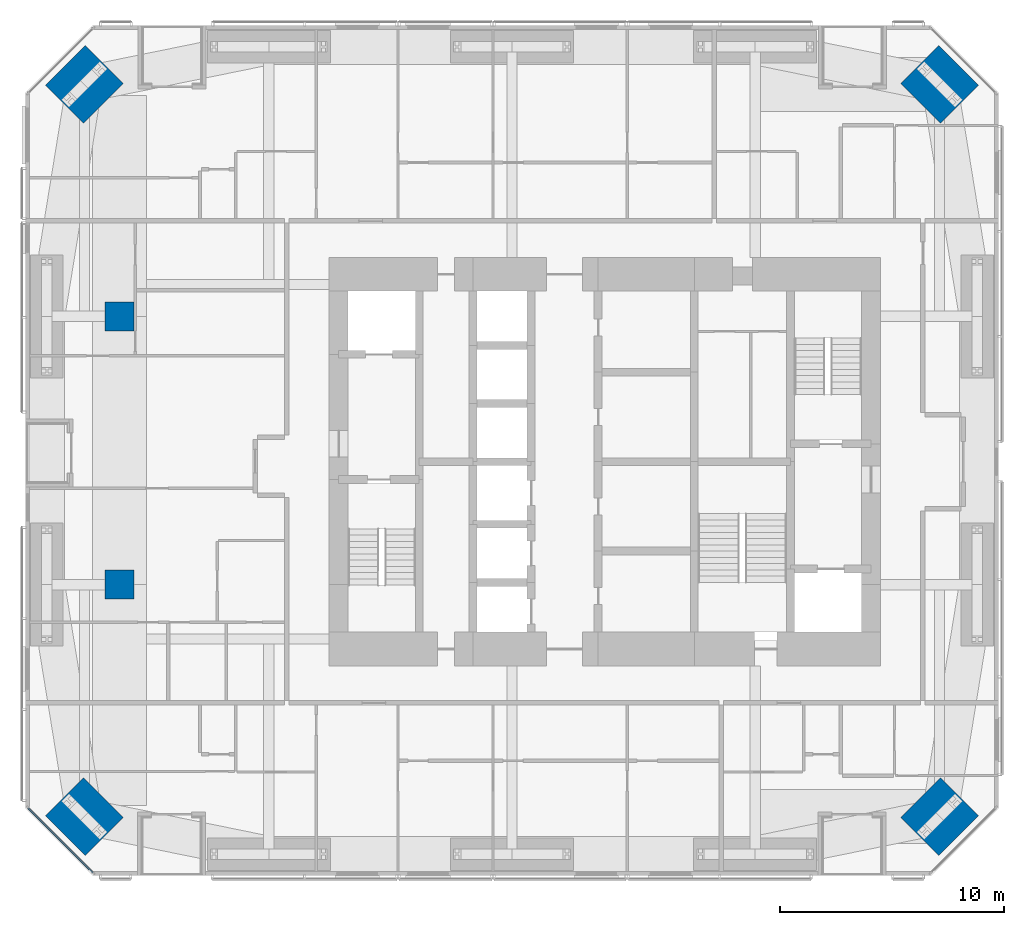
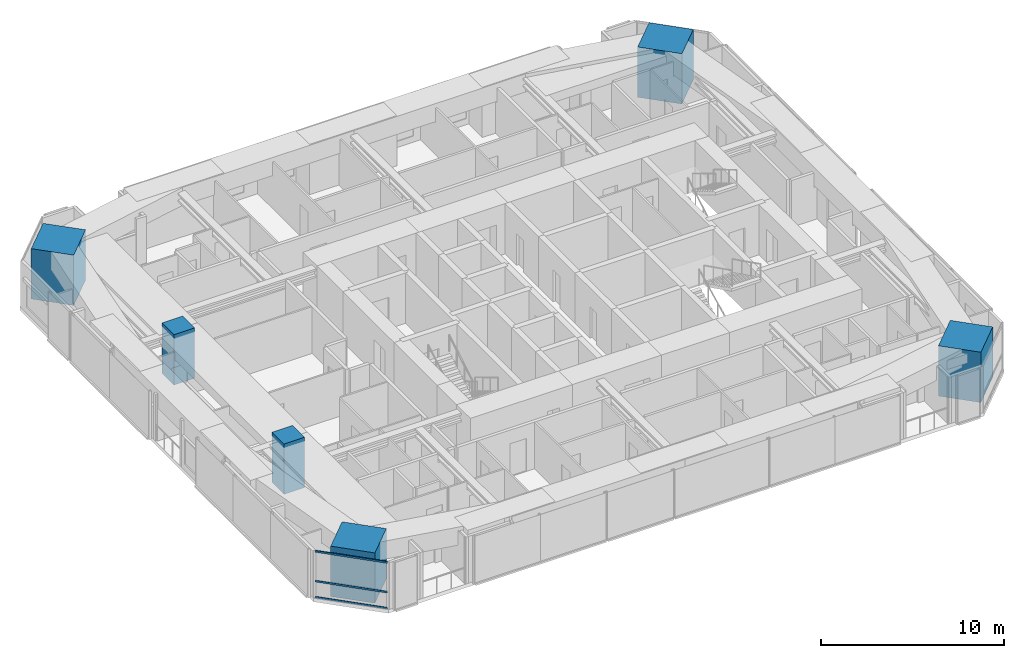
# One storey, part 1 of 23: 6 columns, 3 members, 1 element without a shape of its own.
"""IFC4 building model written with IfcOpenShell, lengths in metres."""

from ifc_helpers import new_model, si_unit, direction, frame, origin, origin_2d, place, context, subcontext, project, spatial, rectangle, extrude, material, material_profile, profile_set, type_object, element, aggregate, save


model = new_model("IFC4")

# Units and contexts
model_context = context("Model", 3, precision=1e-05, world=origin(), true_north=direction((0.0, 1.0)))
body_context = subcontext(model_context, "Body", "Model", "MODEL_VIEW")
ifc_project = project(units=[si_unit("LENGTHUNIT", "METRE"), si_unit("AREAUNIT", "SQUARE_METRE"), si_unit("VOLUMEUNIT", "CUBIC_METRE"), si_unit("PLANEANGLEUNIT", "RADIAN"), si_unit("MASSUNIT", "GRAM", prefix="KILO")], contexts=[model_context])

# Site, building, storey
site_placement = place(None, origin())
site = spatial("IfcSite", under=ifc_project, at=site_placement, CompositionType="ELEMENT")
building_placement = place(site_placement, origin())
building = spatial("IfcBuilding", under=site, at=building_placement, Name="Jalousie Tower", CompositionType="ELEMENT")
storey_placement = place(building_placement, frame((0.0, 0.0, 118.25)))
storey = spatial("IfcBuildingStorey", under=building, at=storey_placement, Name="L32", CompositionType="ELEMENT", Elevation=118.25)

# Columns
ifc_material_1 = material(Name="Concrete f'c 120 MPa", Category="concrete")
ifc_material_profile_1 = material_profile(ifc_material_1, rectangle(XDim=1.300048828125, YDim=1.300048828125, at=origin_2d()), Name="RC 1300x1300")
ifc_profile_set_1 = profile_set([ifc_material_profile_1], Name="Concrete f'c 120 MPa")
column_type_1 = type_object("IfcColumnType", Name="RC COLUMN 1300x1300", PredefinedType="COLUMN", material=ifc_profile_set_1)
for number, where, z_axis, x_axis, name in (
    (1, (10.199951171875, 13.0, 0.0), (0.0, 0.0, 1.0), (1.0, 0.0, 0.0), "Interior column IB1 L32"),
    (2, (10.199951171875, 25.0, 0.0), (0.0, 0.0, 1.0), (1.0, 0.0, 0.0), "Interior column IB2 L32"),
):
    element("IfcColumn", number, at=place(storey_placement, frame(where, z_axis=z_axis, x_axis=x_axis)), inside=storey, type_object=column_type_1, Name=name, PredefinedType="COLUMN", context=body_context, shape_type="SweptSolid", body=[
        extrude(rectangle(XDim=1.300048828125, YDim=1.300048828125, at=origin_2d()), origin(), (0.0, 0.0, 1.0), 3.35009765625),
    ])
ifc_material_2 = material(Name="Concrete f'c 120 MPa", Category="concrete")
ifc_material_profile_2 = material_profile(ifc_material_2, rectangle(XDim=2.39990234375, YDim=2.5, at=origin_2d()), Name="RC 2400x2500")
ifc_profile_set_2 = profile_set([ifc_material_profile_2], Name="Concrete f'c 120 MPa")
column_type_2 = type_object("IfcColumnType", Name="RC CORNER COLUMN 2400x2500", PredefinedType="COLUMN", material=ifc_profile_set_2)
for number, where, z_axis, x_axis, name in (
    (3, (8.63134765625, 2.63134765625, 0.0), (0.0, 0.0, 1.0), (0.707106781187, 0.707106781187, 0.0), "Corner column 01 L32"),
    (4, (46.86865234375, 2.63134765625, 0.0), (0.0, 0.0, 1.0), (-0.707106781187, 0.707106781187, 0.0), "Corner column 05 L32"),
    (5, (46.86865234375, 35.36865234375, 0.0), (0.0, 0.0, 1.0), (-0.707106781187, -0.707106781187, 0.0), "Corner column 08 L32"),
    (6, (8.63134765625, 35.36865234375, 0.0), (0.0, 0.0, 1.0), (0.707106781187, -0.707106781187, 0.0), "Corner column 12 L32"),
):
    element("IfcColumn", number, at=place(storey_placement, frame(where, z_axis=z_axis, x_axis=x_axis)), inside=storey, type_object=column_type_2, Name=name, PredefinedType="COLUMN", context=body_context, shape_type="SweptSolid", body=[
        extrude(rectangle(XDim=2.39990234375, YDim=2.5, at=origin_2d()), origin(), (0.0, 0.0, 1.0), 3.35009765625),
    ])

# Curtain wall, members
ifc_material_3 = material(Name="Aluminium curtain wall", Category="aluminium")
curtain_wall_type = type_object("IfcCurtainWallType", Name="CORNER WINDOW WALL", PredefinedType="USERDEFINED", material=ifc_material_3)
curtain_wall_placement = place(storey_placement, origin())
curtain_wall = element("IfcCurtainWall", 7, at=curtain_wall_placement, inside=storey, type_object=curtain_wall_type, Name="Corner Window Wall L32 8", ObjectType="CORNER WINDOW WALL", PredefinedType="USERDEFINED")
ifc_material_4 = material(Name="Aluminium transom", Category="aluminium")
ifc_material_profile_3 = material_profile(ifc_material_4, rectangle(XDim=0.06005859375, YDim=0.1201171875, at=origin_2d()), Name="TRANSOM 60x120")
ifc_profile_set_3 = profile_set([ifc_material_profile_3], Name="Aluminium transom")
member_type = type_object("IfcMemberType", Name="CORNER WINDOW WALL TRANSOM", PredefinedType="USERDEFINED", material=ifc_profile_set_3)
member_1_placement = place(storey_placement, frame((6.1298828125, 3.0087890625, 0.030029296875), z_axis=(0.707106781187, -0.707106781187, 0.0), x_axis=(0.707106781187, 0.707106781187, 0.0)))
member_1 = element("IfcMember", 8, at=member_1_placement, type_object=member_type, Name="CW-C transom 1.1", ObjectType="TRANSOM", PredefinedType="USERDEFINED", context=body_context, shape_type="SweptSolid", body=[
    extrude(rectangle(XDim=0.06005859375, YDim=0.1201171875, at=origin_2d()), origin(), (0.0, 0.0, 1.0), 4.0712890625),
])
member_2_placement = place(storey_placement, frame((6.1298828125, 3.0087890625, 1.10009765625), z_axis=(0.707106781187, -0.707106781187, 0.0), x_axis=(0.707106781187, 0.707106781187, 0.0)))
member_2 = element("IfcMember", 9, at=member_2_placement, type_object=member_type, Name="CW-C transom 1.2", ObjectType="TRANSOM", PredefinedType="USERDEFINED", context=body_context, shape_type="SweptSolid", body=[
    extrude(rectangle(XDim=0.06005859375, YDim=0.1201171875, at=origin_2d()), origin(), (0.0, 0.0, 1.0), 4.0712890625),
])
member_3_placement = place(storey_placement, frame((6.1298828125, 3.0087890625, 3.080078125), z_axis=(0.707106781187, -0.707106781187, 0.0), x_axis=(0.707106781187, 0.707106781187, 0.0)))
member_3 = element("IfcMember", 10, at=member_3_placement, type_object=member_type, Name="CW-C transom 1.3", ObjectType="TRANSOM", PredefinedType="USERDEFINED", context=body_context, shape_type="SweptSolid", body=[
    extrude(rectangle(XDim=0.06005859375, YDim=0.1201171875, at=origin_2d()), origin(), (0.0, 0.0, 1.0), 4.0712890625),
])
aggregate(curtain_wall, [member_1, member_2, member_3])

save(model, "model.ifc")
